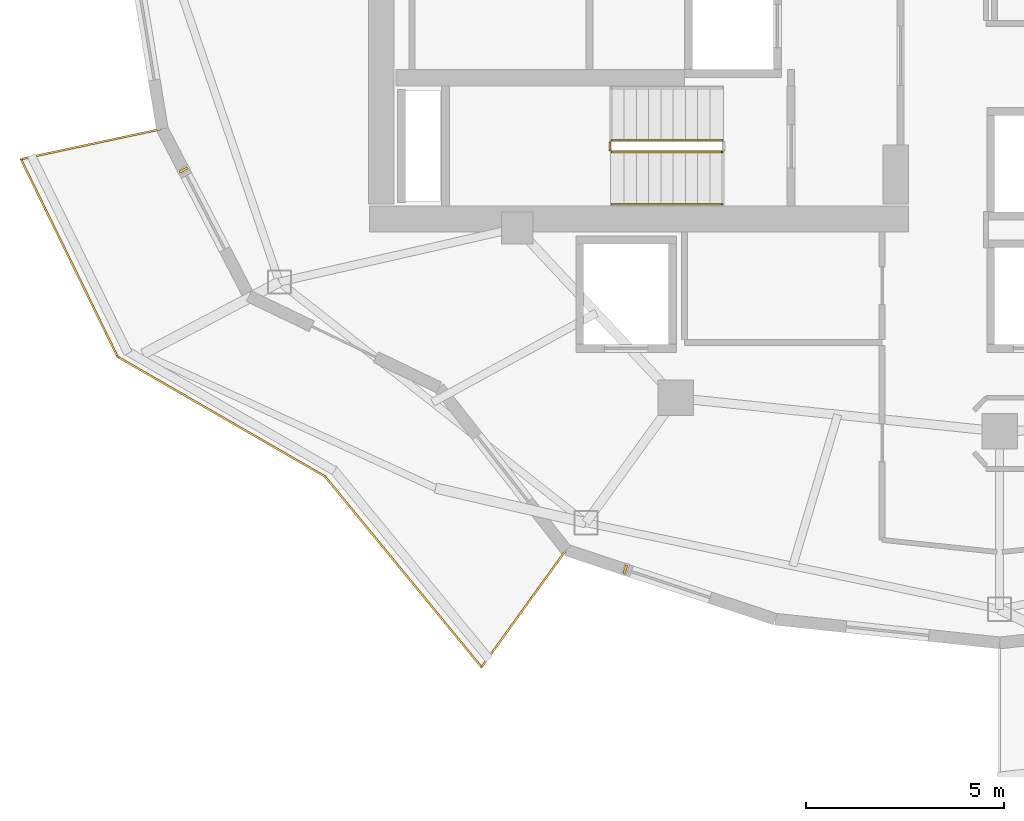
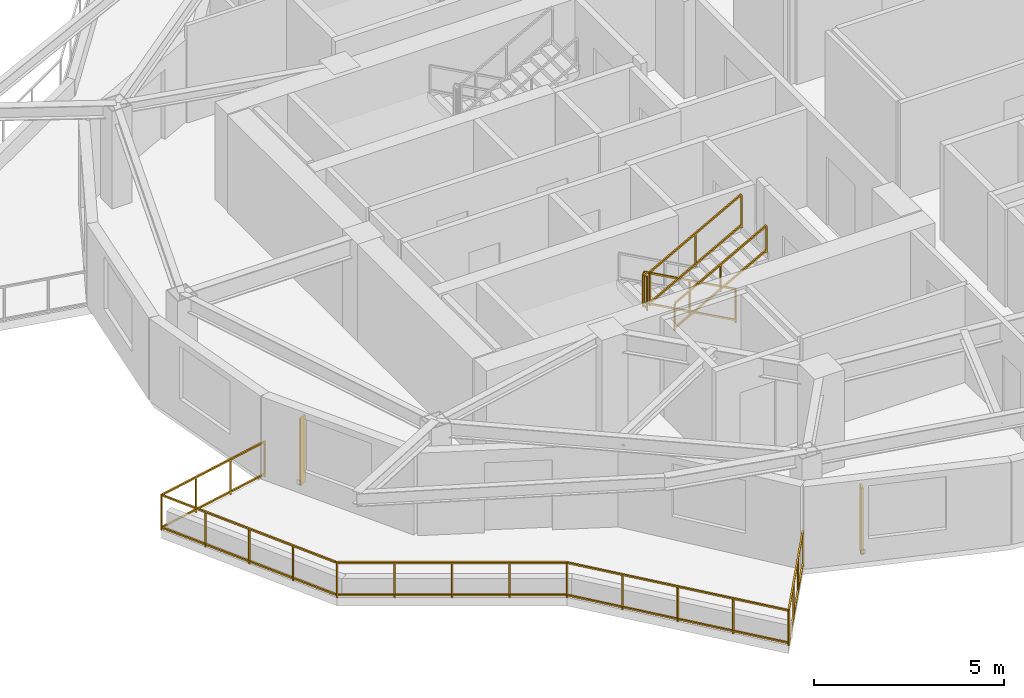
# One storey, part 8 of 12: 5 railings, 2 shading devices.
"""IFC4 building model written with IfcOpenShell, lengths in metres."""

from ifc_helpers import new_model, si_unit, direction, frame, origin, origin_2d, place, context, subcontext, project, spatial, rectangle, extrude, material, type_object, element, save


model = new_model("IFC4")

# Units and contexts
model_context = context("Model", 3, precision=1e-05, world=origin(), true_north=direction((0.0, 1.0)))
body_context = subcontext(model_context, "Body", "Model", "MODEL_VIEW")
ifc_project = project(units=[si_unit("LENGTHUNIT", "METRE"), si_unit("AREAUNIT", "SQUARE_METRE"), si_unit("VOLUMEUNIT", "CUBIC_METRE"), si_unit("PLANEANGLEUNIT", "RADIAN"), si_unit("MASSUNIT", "GRAM", prefix="KILO")], contexts=[model_context])

# Site, building, storey
site_placement = place(None, origin())
site = spatial("IfcSite", under=ifc_project, at=site_placement, CompositionType="ELEMENT")
building_placement = place(site_placement, origin())
building = spatial("IfcBuilding", under=site, at=building_placement, Name="Kolvaren Gate Tower and Convention Centre", CompositionType="ELEMENT")
storey_placement = place(building_placement, frame((0.0, 0.0, 180.10009765625)))
storey = spatial("IfcBuildingStorey", under=building, at=storey_placement, Name="L47", CompositionType="ELEMENT", Elevation=180.10009765625)

# Railings
ifc_material_1 = material(Name="Brushed Stainless Steel Grade 316L", Category="steel")
railing_type_1 = type_object("IfcRailingType", Name="ARCH-RL-GUARD-1150", PredefinedType="GUARDRAIL", material=ifc_material_1)
railing_1_placement = place(storey_placement, frame((23.10009765625, 22.169921875, 0.169921875)))
element("IfcRailing", 1, at=railing_1_placement, inside=storey, type_object=railing_type_1, Name="L47 ST-T2 stair guard 1", PredefinedType="GUARDRAIL", context=body_context, shape_type="SweptSolid", body=[
    extrude(rectangle(XDim=0.048095703125, YDim=0.048095703125, at=origin_2d()), frame((0.0, 0.0, 1.076171875), z_axis=(-0.876811365212, 0.0, 0.480834513982), x_axis=(0.0, -1.0, 0.0)), (0.0, 0.0, 1.0), 3.18212890625),
    extrude(rectangle(XDim=0.048095703125, YDim=0.048095703125, at=origin_2d()), frame((0.0, 0.0, 0.083984375), z_axis=(-0.876811365212, 0.0, 0.480834513982), x_axis=(0.0, -1.0, 0.0)), (0.0, 0.0, 1.0), 3.18212890625),
    extrude(rectangle(XDim=0.0419921875, YDim=0.0419921875, at=origin_2d()), origin(), (0.0, 0.0, 1.0), 1.050048828125),
    extrude(rectangle(XDim=0.0419921875, YDim=0.0419921875, at=origin_2d()), frame((-2.7900390625, 0.0, 1.530029296875)), (0.0, 0.0, 1.0), 1.050048828125),
    extrude(rectangle(XDim=0.0419921875, YDim=0.0419921875, at=origin_2d()), frame((-1.39501953125, 0.0, 0.76513671875)), (0.0, 0.0, 1.0), 1.050048828125),
])
railing_2_placement = place(storey_placement, frame((20.260009765625, 22.1201171875, 1.699951171875)))
element("IfcRailing", 2, at=railing_2_placement, inside=storey, type_object=railing_type_1, Name="L47 ST-T2 stair guard 2", PredefinedType="GUARDRAIL", context=body_context, shape_type="SweptSolid", body=[
    extrude(rectangle(XDim=0.048095703125, YDim=0.048095703125, at=origin_2d()), frame((0.0, 0.0, 1.076171875), z_axis=(0.0, -1.0, 0.0), x_axis=(1.0, 0.0, 0.0)), (0.0, 0.0, 1.0), 0.2001953125),
    extrude(rectangle(XDim=0.048095703125, YDim=0.048095703125, at=origin_2d()), frame((0.0, 0.0, 0.083984375), z_axis=(0.0, -1.0, 0.0), x_axis=(1.0, 0.0, 0.0)), (0.0, 0.0, 1.0), 0.2001953125),
    extrude(rectangle(XDim=0.0419921875, YDim=0.0419921875, at=origin_2d()), origin(), (0.0, 0.0, 1.0), 1.050048828125),
    extrude(rectangle(XDim=0.0419921875, YDim=0.0419921875, at=origin_2d()), frame((0.0, -0.2001953125, 0.0)), (0.0, 0.0, 1.0), 1.050048828125),
])
railing_3_placement = place(storey_placement, frame((20.31005859375, 21.8701171875, 1.869873046875)))
element("IfcRailing", 3, at=railing_3_placement, inside=storey, type_object=railing_type_1, Name="L47 ST-T2 stair guard 3", PredefinedType="GUARDRAIL", context=body_context, shape_type="SweptSolid", body=[
    extrude(rectangle(XDim=0.048095703125, YDim=0.048095703125, at=origin_2d()), frame((0.0, 0.0, 1.076171875), z_axis=(0.876811365212, 0.0, 0.480834513982), x_axis=(0.0, 1.0, 0.0)), (0.0, 0.0, 1.0), 3.18212890625),
    extrude(rectangle(XDim=0.048095703125, YDim=0.048095703125, at=origin_2d()), frame((0.0, 0.0, 0.083984375), z_axis=(0.876811365212, 0.0, 0.480834513982), x_axis=(0.0, 1.0, 0.0)), (0.0, 0.0, 1.0), 3.18212890625),
    extrude(rectangle(XDim=0.0419921875, YDim=0.0419921875, at=origin_2d()), origin(), (0.0, 0.0, 1.0), 1.050048828125),
    extrude(rectangle(XDim=0.0419921875, YDim=0.0419921875, at=origin_2d()), frame((2.7900390625, 0.0, 1.530029296875)), (0.0, 0.0, 1.0), 1.050048828125),
    extrude(rectangle(XDim=0.0419921875, YDim=0.0419921875, at=origin_2d()), frame((1.39501953125, 0.0, 0.76513671875)), (0.0, 0.0, 1.0), 1.050048828125),
])
railing_4_placement = place(storey_placement, frame((8.93505859375, 22.457763671875, 0.0)))
element("IfcRailing", 4, at=railing_4_placement, inside=storey, type_object=railing_type_1, Name="Tower L47 Terrace Perimeter Guardrail GR-2", PredefinedType="GUARDRAIL", context=body_context, shape_type="SweptSolid", body=[
    extrude(rectangle(XDim=0.048095703125, YDim=0.048095703125, at=origin_2d()), frame((-0.02734375, -0.005859375, 1.1259765625), z_axis=(-0.977791675321, -0.209579196661, 0.0), x_axis=(0.209579196661, -0.977791675321, 0.0)), (0.0, 0.0, 1.0), 3.60400390625),
    extrude(rectangle(XDim=0.048095703125, YDim=0.048095703125, at=origin_2d()), frame((-0.02734375, -0.005859375, 0.083984375), z_axis=(-0.977791675321, -0.209579196661, 0.0), x_axis=(0.209579196661, -0.977791675321, 0.0)), (0.0, 0.0, 1.0), 3.60400390625),
    extrude(rectangle(XDim=0.048095703125, YDim=0.048095703125, at=origin_2d()), frame((-3.56640625, -0.792236328125, 1.1259765625), z_axis=(0.439655234701, -0.898166618507, 0.0), x_axis=(0.898166618507, 0.439655234701, 0.0)), (0.0, 0.0, 1.0), 5.51123046875),
    extrude(rectangle(XDim=0.048095703125, YDim=0.048095703125, at=origin_2d()), frame((-3.56640625, -0.792236328125, 0.083984375), z_axis=(0.439655234701, -0.898166618507, 0.0), x_axis=(0.898166618507, 0.439655234701, 0.0)), (0.0, 0.0, 1.0), 5.51123046875),
    extrude(rectangle(XDim=0.048095703125, YDim=0.048095703125, at=origin_2d()), frame((-1.10693359375, -5.781494140625, 1.1259765625), z_axis=(0.866075571306, -0.499913097234, 0.0), x_axis=(0.499913097234, 0.866075571306, 0.0)), (0.0, 0.0, 1.0), 6.004150390625),
    extrude(rectangle(XDim=0.048095703125, YDim=0.048095703125, at=origin_2d()), frame((-1.10693359375, -5.781494140625, 0.083984375), z_axis=(0.866075571306, -0.499913097234, 0.0), x_axis=(0.499913097234, 0.866075571306, 0.0)), (0.0, 0.0, 1.0), 6.004150390625),
    extrude(rectangle(XDim=0.048095703125, YDim=0.048095703125, at=origin_2d()), frame((4.13525390625, -8.81884765625, 1.1259765625), z_axis=(0.634429234628, -0.77298094818, 0.0), x_axis=(0.77298094818, 0.634429234628, 0.0)), (0.0, 0.0, 1.0), 6.188720703125),
    extrude(rectangle(XDim=0.048095703125, YDim=0.048095703125, at=origin_2d()), frame((4.13525390625, -8.81884765625, 0.083984375), z_axis=(0.634429234628, -0.77298094818, 0.0), x_axis=(0.77298094818, 0.634429234628, 0.0)), (0.0, 0.0, 1.0), 6.188720703125),
    extrude(rectangle(XDim=0.048095703125, YDim=0.048095703125, at=origin_2d()), frame((8.095703125, -13.6015625, 1.1259765625), z_axis=(0.585212870465, 0.810879705161, 0.0), x_axis=(-0.810879705161, 0.585212870465, 0.0)), (0.0, 0.0, 1.0), 3.603759765625),
    extrude(rectangle(XDim=0.048095703125, YDim=0.048095703125, at=origin_2d()), frame((8.095703125, -13.6015625, 0.083984375), z_axis=(0.585212870465, 0.810879705161, 0.0), x_axis=(-0.810879705161, 0.585212870465, 0.0)), (0.0, 0.0, 1.0), 3.603759765625),
    extrude(rectangle(XDim=0.0419921875, YDim=0.0419921875, at=origin_2d()), origin(), (0.0, 0.0, 1.0), 1.14990234375),
    extrude(rectangle(XDim=0.0419921875, YDim=0.0419921875, at=origin_2d()), frame((-3.578857421875, -0.76708984375, 0.0)), (0.0, 0.0, 1.0), 1.14990234375),
    extrude(rectangle(XDim=0.0419921875, YDim=0.0419921875, at=origin_2d()), frame((-1.19287109375, -0.255615234375, 0.0)), (0.0, 0.0, 1.0), 1.099853515625),
    extrude(rectangle(XDim=0.0419921875, YDim=0.0419921875, at=origin_2d()), frame((-2.385986328125, -0.511474609375, 0.0)), (0.0, 0.0, 1.0), 1.099853515625),
    extrude(rectangle(XDim=0.0419921875, YDim=0.0419921875, at=origin_2d()), frame((-1.131103515625, -5.767578125, 0.0)), (0.0, 0.0, 1.0), 1.14990234375),
    extrude(rectangle(XDim=0.0419921875, YDim=0.0419921875, at=origin_2d()), frame((-2.966796875, -2.01708984375, 0.0)), (0.0, 0.0, 1.0), 1.099853515625),
    extrude(rectangle(XDim=0.0419921875, YDim=0.0419921875, at=origin_2d()), frame((-2.35498046875, -3.267333984375, 0.0)), (0.0, 0.0, 1.0), 1.099853515625),
    extrude(rectangle(XDim=0.0419921875, YDim=0.0419921875, at=origin_2d()), frame((-1.7431640625, -4.517578125, 0.0)), (0.0, 0.0, 1.0), 1.099853515625),
    extrude(rectangle(XDim=0.0419921875, YDim=0.0419921875, at=origin_2d()), frame((4.117431640625, -8.797119140625, 0.0)), (0.0, 0.0, 1.0), 1.14990234375),
    extrude(rectangle(XDim=0.0419921875, YDim=0.0419921875, at=origin_2d()), frame((0.18115234375, -6.52490234375, 0.0)), (0.0, 0.0, 1.0), 1.099853515625),
    extrude(rectangle(XDim=0.0419921875, YDim=0.0419921875, at=origin_2d()), frame((1.4931640625, -7.2822265625, 0.0)), (0.0, 0.0, 1.0), 1.099853515625),
    extrude(rectangle(XDim=0.0419921875, YDim=0.0419921875, at=origin_2d()), frame((2.80517578125, -8.039794921875, 0.0)), (0.0, 0.0, 1.0), 1.099853515625),
    extrude(rectangle(XDim=0.0419921875, YDim=0.0419921875, at=origin_2d()), frame((8.079345703125, -13.624267578125, 0.0)), (0.0, 0.0, 1.0), 1.14990234375),
    extrude(rectangle(XDim=0.0419921875, YDim=0.0419921875, at=origin_2d()), frame((5.10791015625, -10.00390625, 0.0)), (0.0, 0.0, 1.0), 1.099853515625),
    extrude(rectangle(XDim=0.0419921875, YDim=0.0419921875, at=origin_2d()), frame((6.098388671875, -11.210693359375, 0.0)), (0.0, 0.0, 1.0), 1.099853515625),
    extrude(rectangle(XDim=0.0419921875, YDim=0.0419921875, at=origin_2d()), frame((7.0888671875, -12.41748046875, 0.0)), (0.0, 0.0, 1.0), 1.099853515625),
    extrude(rectangle(XDim=0.0419921875, YDim=0.0419921875, at=origin_2d()), frame((10.22119140625, -10.656494140625, 0.0)), (0.0, 0.0, 1.0), 1.14990234375),
    extrude(rectangle(XDim=0.0419921875, YDim=0.0419921875, at=origin_2d()), frame((8.793212890625, -12.635009765625, 0.0)), (0.0, 0.0, 1.0), 1.099853515625),
    extrude(rectangle(XDim=0.0419921875, YDim=0.0419921875, at=origin_2d()), frame((9.50732421875, -11.645751953125, 0.0)), (0.0, 0.0, 1.0), 1.099853515625),
])
railing_type_2 = type_object("IfcRailingType", Name="ARCH-RL-HANDRAIL-920", PredefinedType="HANDRAIL", material=ifc_material_1)
railing_5_placement = place(storey_placement, frame((20.31005859375, 20.550048828125, 1.869873046875)))
element("IfcRailing", 5, at=railing_5_placement, inside=storey, type_object=railing_type_2, Name="L47 ST-T2 stair handrail 2", PredefinedType="HANDRAIL", context=body_context, shape_type="SweptSolid", body=[
    extrude(rectangle(XDim=0.048095703125, YDim=0.048095703125, at=origin_2d()), frame((0.0, 0.0, 0.8759765625), z_axis=(0.876811365212, 0.0, 0.480834513982), x_axis=(0.0, 1.0, 0.0)), (0.0, 0.0, 1.0), 3.18212890625),
    extrude(rectangle(XDim=0.048095703125, YDim=0.048095703125, at=origin_2d()), frame((0.0, 0.0, 0.083984375), z_axis=(0.876811365212, 0.0, 0.480834513982), x_axis=(0.0, 1.0, 0.0)), (0.0, 0.0, 1.0), 3.18212890625),
    extrude(rectangle(XDim=0.0419921875, YDim=0.0419921875, at=origin_2d()), origin(), (0.0, 0.0, 1.0), 0.849853515625),
    extrude(rectangle(XDim=0.0419921875, YDim=0.0419921875, at=origin_2d()), frame((2.7900390625, 0.0, 1.530029296875)), (0.0, 0.0, 1.0), 0.849853515625),
    extrude(rectangle(XDim=0.0419921875, YDim=0.0419921875, at=origin_2d()), frame((1.39501953125, 0.0, 0.76513671875)), (0.0, 0.0, 1.0), 0.849853515625),
])

# Shading devices
ifc_material_2 = material(Name="Kiln-Fired Bogota Terracotta Ceramic Louvre Profile", Category="masonry")
shading_device_type = type_object("IfcShadingDeviceType", Name="ARCH-SHD-FIN-180", PredefinedType="JALOUSIE", material=ifc_material_2)
for number, where, z_axis, x_axis, name in (
    (6, (9.474365234375, 21.416015625, 0.219970703125), (0.0, 0.0, 1.0), (0.459798409467, -0.888023323259, 0.0), "Ceramic Vertical Brise-Soleil Fin FN-L47-13"),
    (7, (20.6533203125, 11.30517578125, 0.219970703125), (0.0, 0.0, 1.0), (0.949239532616, -0.314554144335, 0.0), "Ceramic Vertical Brise-Soleil Fin FN-L47-16"),
):
    element("IfcShadingDevice", number, at=place(storey_placement, frame(where, z_axis=z_axis, x_axis=x_axis)), inside=storey, type_object=shading_device_type, Name=name, PredefinedType="JALOUSIE", context=body_context, shape_type="SweptSolid", body=[
        extrude(rectangle(XDim=0.06005859375, YDim=0.239990234375, at=origin_2d()), origin(), (0.0, 0.0, 1.0), 2.14990234375),
    ])

save(model, "model.ifc")
